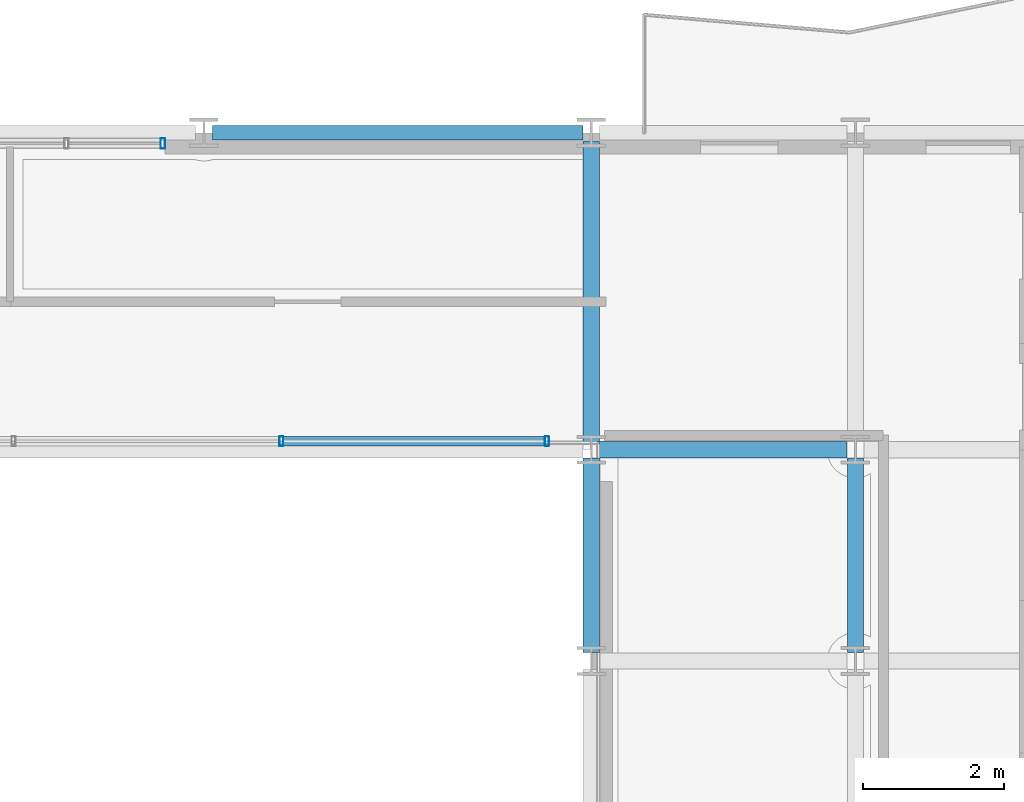
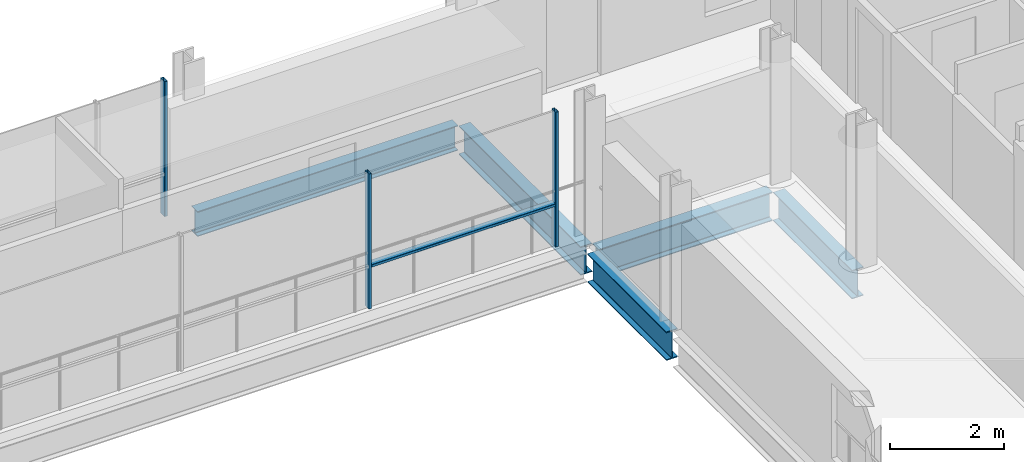
# One storey, part 19 of 40: 5 beams, 4 members, 2 elements without a shape of their own.
"""IFC4 building model written with IfcOpenShell, lengths in metres."""

import ifcopenshell
import ifcopenshell.guid

model = None  # the IFC model being written
_history = None  # IfcOwnerHistory: only IFC2X3 demands one
_inside = {}  # id of a spatial element -> (the spatial element, [elements in it])
_under = {}  # id of a project, library or spatial element -> (it, [spatial elements below it])
_declared = {}  # id of a project -> (the project, [libraries it declares])
_typed = {}  # id of a type object -> (the type object, [elements of that type])
_made_of = {}  # id of a material, layer set ... -> (it, [elements and type objects made of it])


def new_model(schema):
    """Start an empty IFC model of exactly this schema.

    Asked for "IFC4X3", IfcOpenShell would pick the latest addendum, in which some entities
    have other attributes; the version numbers below select the first issue.
    IFC2X3 requires an IfcOwnerHistory on every rooted entity: one is made here for all.
    """
    global model, _history
    if schema == "IFC4X3":
        model = ifcopenshell.file(schema_version=(4, 3, 0, 0))
    else:
        model = ifcopenshell.file(schema=schema)
    _inside.clear()
    _under.clear()
    _declared.clear()
    _typed.clear()
    _made_of.clear()
    _history = None
    if model.schema == "IFC2X3":
        org = make("IfcOrganization", Name="unknown")
        user = make(
            "IfcPersonAndOrganization",
            ThePerson=make("IfcPerson", FamilyName="unknown"),
            TheOrganization=org,
        )
        app = make(
            "IfcApplication",
            ApplicationDeveloper=org,
            Version="unknown",
            ApplicationFullName="unknown",
            ApplicationIdentifier="unknown",
        )
        _history = make(
            "IfcOwnerHistory",
            OwningUser=user,
            OwningApplication=app,
            ChangeAction="ADDED",
            CreationDate=0,
        )
    return model


def make(cls, **values):
    """One entity of the class cls with the attributes given. An attribute that is None is left unset."""
    return model.create_entity(
        cls, **{name: value for name, value in values.items() if value is not None}
    )


def rooted(cls, **values):
    """An entity with a GlobalId (a new one), such as an element, a storey or a relation."""
    return make(cls, GlobalId=ifcopenshell.guid.new(), OwnerHistory=_history, **values)


def si_unit(unit_type, name, prefix=None):
    """IfcSIUnit, for example si_unit("LENGTHUNIT", "METRE", prefix="MILLI")."""
    return make("IfcSIUnit", UnitType=unit_type, Prefix=prefix, Name=name)


def assignment(units):
    """IfcUnitAssignment: the units of a project."""
    return None if units is None else make("IfcUnitAssignment", Units=units)


def point(xyz):
    """IfcCartesianPoint."""
    return None if xyz is None else make("IfcCartesianPoint", Coordinates=xyz)


def direction(xyz):
    """IfcDirection."""
    return None if xyz is None else make("IfcDirection", DirectionRatios=xyz)


def frame(location, z_axis=None, x_axis=None):
    """IfcAxis2Placement3D, a coordinate frame: its origin and axes. An axis left out is left unset."""
    return make(
        "IfcAxis2Placement3D",
        Location=point(location),
        Axis=direction(z_axis),
        RefDirection=direction(x_axis),
    )


def frame_2d(location, x_axis=None):
    """IfcAxis2Placement2D, a coordinate frame in the plane: its origin and x axis."""
    return make(
        "IfcAxis2Placement2D", Location=point(location), RefDirection=direction(x_axis)
    )


def origin():
    """The frame at (0, 0, 0) with its axes left unset."""
    return frame((0.0, 0.0, 0.0))


def origin_2d():
    """The frame at (0, 0) in the plane with its x axis left unset."""
    return frame_2d((0.0, 0.0))


def place(relative_to, where):
    """IfcLocalPlacement: puts the frame where relative to a parent placement (None: the world)."""
    return make(
        "IfcLocalPlacement", PlacementRelTo=relative_to, RelativePlacement=where
    )


def context(
    kind, dimensions, precision=None, world=None, true_north=None, identifier=None
):
    """IfcGeometricRepresentationContext, for example the 3D "Model" context."""
    return make(
        "IfcGeometricRepresentationContext",
        ContextIdentifier=identifier,
        ContextType=kind,
        CoordinateSpaceDimension=dimensions,
        Precision=precision,
        WorldCoordinateSystem=world,
        TrueNorth=true_north,
    )


def subcontext(parent, identifier, kind, view, scale=None):
    """IfcGeometricRepresentationSubContext, for example "Body" below "Model"."""
    return make(
        "IfcGeometricRepresentationSubContext",
        ContextIdentifier=identifier,
        ContextType=kind,
        ParentContext=parent,
        TargetScale=scale,
        TargetView=view,
    )


def project(units=None, contexts=None):
    """IfcProject with its units and contexts."""
    return rooted(
        "IfcProject",
        Name="project",
        RepresentationContexts=contexts,
        UnitsInContext=assignment(units),
    )


def spatial(cls, under=None, at=None, **own):
    """A site, building, storey or space (cls), placed at a placement, below another one or the project."""
    s = rooted(cls, ObjectPlacement=at, **own)
    if under is not None:
        _under.setdefault(under.id(), (under, []))[1].append(s)
    return s


def profile(cls, at=None, kind="AREA", **sizes):
    """A parametric profile (cls). Its sizes go by their IFC names, for example OverallWidth=200.0."""
    return make(cls, ProfileType=kind, Position=at, **sizes)


def hollow_rectangle(**sizes):
    """IfcRectangleHollowProfileDef."""
    return profile("IfcRectangleHollowProfileDef", **sizes)


def i_section(**sizes):
    """IfcIShapeProfileDef."""
    return profile("IfcIShapeProfileDef", **sizes)


def extrude(swept, where, along, depth):
    """IfcExtrudedAreaSolid: the profile swept, set in the frame where, extruded along a direction by depth."""
    return make(
        "IfcExtrudedAreaSolid",
        SweptArea=swept,
        Position=where,
        ExtrudedDirection=direction(along),
        Depth=depth,
    )


def shape(context_of_items, identifier, shape_type, items):
    """IfcShapeRepresentation: the items that make up one representation, for example the "Body"."""
    return make(
        "IfcShapeRepresentation",
        ContextOfItems=context_of_items,
        RepresentationIdentifier=identifier,
        RepresentationType=shape_type,
        Items=items,
    )


def material(Name=None, Category=None):
    """IfcMaterial."""
    return make("IfcMaterial", Name=Name, Category=Category)


def layer(
    of_material, thickness, ventilated=None, Name=None, Category=None, Priority=None
):
    """IfcMaterialLayer: one layer of a wall or slab, of a material (None: an air gap)."""
    return make(
        "IfcMaterialLayer",
        Material=of_material,
        LayerThickness=thickness,
        IsVentilated=ventilated,
        Name=Name,
        Category=Category,
        Priority=Priority,
    )


def layer_set(layers, Name=None):
    """IfcMaterialLayerSet."""
    return make("IfcMaterialLayerSet", MaterialLayers=layers, LayerSetName=Name)


def material_profile(
    of_material, cross_section, Name=None, Category=None, Priority=None
):
    """IfcMaterialProfile: a cross section and its material."""
    return make(
        "IfcMaterialProfile",
        Name=Name,
        Material=of_material,
        Profile=cross_section,
        Priority=Priority,
        Category=Category,
    )


def profile_set(profiles, Name=None, composite=None):
    """IfcMaterialProfileSet."""
    return make(
        "IfcMaterialProfileSet",
        Name=Name,
        MaterialProfiles=profiles,
        CompositeProfile=composite,
    )


def made_of(thing, what):
    """Note that an element or type object is made of a material, layer set ...; save() writes the relation."""
    if what is not None:
        _made_of.setdefault(what.id(), (what, []))[1].append(thing)
    return thing


def type_object(cls, material=None, **own):
    """A type object (cls), such as IfcWallType, which elements share."""
    return made_of(rooted(cls, **own), material)


def element(
    cls,
    number,
    at=None,
    inside=None,
    cuts=None,
    type_object=None,
    material=None,
    context=None,
    identifier="Body",
    shape_type=None,
    held_by="IfcProductDefinitionShape",
    body=None,
    shapes=None,
    **own,
):
    """One element of the class cls, such as IfcWall. Its Tag is "e" and its number.

    at: its placement. inside: the storey or other place that contains it. cuts: it is an
    opening in that element (IfcRelVoidsElement). A single representation is given by context,
    identifier, shape_type and body (its items); several are given by shapes. held_by: the class
    of the entity that holds the representations. save() writes the other relations.
    """
    e = rooted(cls, Tag="e%d" % number, ObjectPlacement=at, **own)
    if body is not None:
        shapes = [shape(context, identifier, shape_type, body)]
    if shapes is not None:
        e.Representation = make(held_by, Representations=shapes)
    if inside is not None:
        _inside.setdefault(inside.id(), (inside, []))[1].append(e)
    if cuts is not None:
        rooted(
            "IfcRelVoidsElement", RelatingBuildingElement=cuts, RelatedOpeningElement=e
        )
    if type_object is not None:
        _typed.setdefault(type_object.id(), (type_object, []))[1].append(e)
    return made_of(e, material)


def aggregate(whole, parts):
    """IfcRelAggregates: a whole, such as a stair, and the parts it consists of."""
    return rooted("IfcRelAggregates", RelatingObject=whole, RelatedObjects=parts)


def save(model, path):
    """Write the relations noted so far, then the file.

    IfcRelAggregates (storeys below a building ...), IfcRelContainedInSpatialStructure (elements
    in a storey), IfcRelDefinesByType, IfcRelAssociatesMaterial and IfcRelDeclares: one each for
    every whole, place, type object, material and project.
    """
    for whole, parts in _under.values():
        aggregate(whole, parts)
    for where, things in _inside.values():
        rooted(
            "IfcRelContainedInSpatialStructure",
            RelatedElements=things,
            RelatingStructure=where,
        )
    for kind, things in _typed.values():
        rooted("IfcRelDefinesByType", RelatedObjects=things, RelatingType=kind)
    for what, things in _made_of.values():
        rooted("IfcRelAssociatesMaterial", RelatedObjects=things, RelatingMaterial=what)
    for by, libraries in _declared.values():
        rooted("IfcRelDeclares", RelatingContext=by, RelatedDefinitions=libraries)
    model.write(path)


model = new_model("IFC4")

# Units and contexts
model_context = context("Model", 3, precision=1e-05, world=origin(), true_north=direction((0.0, 1.0)))
body_context = subcontext(model_context, "Body", "Model", "MODEL_VIEW")
ifc_project = project(units=[si_unit("LENGTHUNIT", "METRE"), si_unit("AREAUNIT", "SQUARE_METRE"), si_unit("VOLUMEUNIT", "CUBIC_METRE"), si_unit("PLANEANGLEUNIT", "RADIAN"), si_unit("MASSUNIT", "GRAM", prefix="KILO")], contexts=[model_context])

# Site, building, storey
site_placement = place(None, origin())
site = spatial("IfcSite", under=ifc_project, at=site_placement, CompositionType="ELEMENT")
building_placement = place(site_placement, origin())
building = spatial("IfcBuilding", under=site, at=building_placement, Name="Brevholm Reach", CompositionType="ELEMENT")
storey_placement = place(building_placement, frame((0.0, 0.0, 160.39990234375)))
storey = spatial("IfcBuildingStorey", under=building, at=storey_placement, Name="L48", CompositionType="ELEMENT", Elevation=160.39990234375)

# Beams
ifc_material_1 = material(Name="Structural Steel S355J2", Category="steel")
ifc_material_profile_1 = material_profile(ifc_material_1, i_section(OverallWidth=0.209228515625, OverallDepth=0.533203125, WebThickness=0.010009765625, FlangeThickness=0.015625, FilletRadius=0.0126953125, at=origin_2d()), Name="UKB 533x210x92")
ifc_profile_set_1 = profile_set([ifc_material_profile_1], Name="Structural Steel S355J2")
beam_type_1 = type_object("IfcBeamType", Name="BM-SP533", PredefinedType="SPANDREL", material=ifc_profile_set_1)
beam_1_placement = place(storey_placement, frame((32.8701171875, 31.0, -0.486572265625), z_axis=(1.0, 0.0, 0.0), x_axis=(0.0, 1.0, 0.0)))
element("IfcBeam", 1, at=beam_1_placement, inside=storey, type_object=beam_type_1, Name="L48 SP-02 Framing Beam", PredefinedType="SPANDREL", context=body_context, shape_type="SweptSolid", body=[
    extrude(i_section(OverallWidth=0.209228515625, OverallDepth=0.533203125, WebThickness=0.010009765625, FlangeThickness=0.015625, FilletRadius=0.0126953125, at=origin_2d()), origin(), (0.0, 0.0, 1.0), 5.259765625),
])
ifc_material_2 = material(Name="Structural Steel S355J2", Category="steel")
ifc_material_profile_2 = material_profile(ifc_material_2, i_section(OverallWidth=0.22900390625, OverallDepth=0.6123046875, WebThickness=0.011962890625, FlangeThickness=0.01953125, FilletRadius=0.0126953125, at=origin_2d()), Name="UKB 610x229x125")
ifc_profile_set_2 = profile_set([ifc_material_profile_2], Name="Structural Steel S355J2")
beam_type_2 = type_object("IfcBeamType", Name="BM-SP610", PredefinedType="SPANDREL", material=ifc_profile_set_2)
beam_2_placement = place(storey_placement, frame((38.3701171875, 26.5, -0.526123046875), z_axis=(1.0, 0.0, 0.0), x_axis=(0.0, 1.0, 0.0)))
element("IfcBeam", 2, at=beam_2_placement, inside=storey, type_object=beam_type_2, Name="L48 SP-01 Framing Beam", PredefinedType="SPANDREL", context=body_context, shape_type="SweptSolid", body=[
    extrude(i_section(OverallWidth=0.22900390625, OverallDepth=0.6123046875, WebThickness=0.011962890625, FlangeThickness=0.01953125, FilletRadius=0.0126953125, at=origin_2d()), origin(), (0.0, 0.0, 1.0), 3.509765625),
])
beam_3_placement = place(storey_placement, frame((38.25, 23.6201171875, -0.526123046875), z_axis=(0.0, 1.0, 0.0), x_axis=(-1.0, 0.0, 0.0)))
element("IfcBeam", 3, at=beam_3_placement, inside=storey, type_object=beam_type_2, Name="L48 SP-01 Framing Beam", PredefinedType="SPANDREL", context=body_context, shape_type="SweptSolid", body=[
    extrude(i_section(OverallWidth=0.22900390625, OverallDepth=0.6123046875, WebThickness=0.011962890625, FlangeThickness=0.01953125, FilletRadius=0.0126953125, at=origin_2d()), origin(), (0.0, 0.0, 1.0), 2.759765625),
])
beam_4_placement = place(storey_placement, frame((38.25, 26.6201171875, -0.526123046875), z_axis=(0.0, 1.0, 0.0), x_axis=(-1.0, 0.0, 0.0)))
element("IfcBeam", 4, at=beam_4_placement, inside=storey, type_object=beam_type_2, Name="L48 SP-01 Framing Beam", PredefinedType="SPANDREL", context=body_context, shape_type="SweptSolid", body=[
    extrude(i_section(OverallWidth=0.22900390625, OverallDepth=0.6123046875, WebThickness=0.011962890625, FlangeThickness=0.01953125, FilletRadius=0.0126953125, at=origin_2d()), origin(), (0.0, 0.0, 1.0), 4.259765625),
])
beam_5_placement = place(storey_placement, frame((42.0, 23.6201171875, -0.526123046875), z_axis=(0.0, 1.0, 0.0), x_axis=(-1.0, 0.0, 0.0)))
element("IfcBeam", 5, at=beam_5_placement, inside=storey, type_object=beam_type_2, Name="L48 SP-01 Framing Beam", PredefinedType="SPANDREL", context=body_context, shape_type="SweptSolid", body=[
    extrude(i_section(OverallWidth=0.22900390625, OverallDepth=0.6123046875, WebThickness=0.011962890625, FlangeThickness=0.01953125, FilletRadius=0.0126953125, at=origin_2d()), origin(), (0.0, 0.0, 1.0), 2.759765625),
])

# Curtain wall, members
ifc_material_3 = material(Name="Dark Anodised Aluminium 6063-T6 and Solar-Control Glass", Category="aluminium")
ifc_layer_1 = layer(ifc_material_3, 0.139892578125)
ifc_layer_set_1 = layer_set([ifc_layer_1], Name="Dark Anodised Aluminium 6063-T6 and Solar-Control Glass")
curtain_wall_type_1 = type_object("IfcCurtainWallType", Name="CW-02", PredefinedType="NOTDEFINED", material=ifc_layer_set_1)
curtain_wall_1_placement = place(storey_placement, origin())
curtain_wall_1 = element("IfcCurtainWall", 6, at=curtain_wall_1_placement, inside=storey, type_object=curtain_wall_type_1, Name="L48 Curtain Wall CW-02", PredefinedType="NOTDEFINED")
ifc_material_4 = material(Name="Dark Anodised Aluminium 6063-T6", Category="aluminium")
ifc_material_profile_3 = material_profile(ifc_material_4, hollow_rectangle(XDim=0.06005859375, YDim=0.139892578125, WallThickness=0.0048828125, InnerFilletRadius=0.0048828125, OuterFilletRadius=0.010009765625, at=origin_2d()), Name="RHS 140x60x5")
ifc_profile_set_3 = profile_set([ifc_material_profile_3], Name="Dark Anodised Aluminium 6063-T6")
member_type_1 = type_object("IfcMemberType", Name="CWM-140", PredefinedType="MULLION", material=ifc_profile_set_3)
member_1_placement = place(storey_placement, frame((37.6201171875, 26.6201171875, 0.0), z_axis=(0.0, 0.0, 1.0), x_axis=(-1.0, 0.0, 0.0)))
member_1 = element("IfcMember", 7, at=member_1_placement, type_object=member_type_1, Name="CM-140 Mullion 1", PredefinedType="MULLION", context=body_context, shape_type="SweptSolid", body=[
    extrude(hollow_rectangle(XDim=0.06005859375, YDim=0.139892578125, WallThickness=0.0048828125, InnerFilletRadius=0.0048828125, OuterFilletRadius=0.010009765625, at=origin_2d()), origin(), (0.0, 0.0, 1.0), 2.880126953125),
])
member_2_placement = place(storey_placement, frame((33.85009765625, 26.6201171875, 0.0), z_axis=(0.0, 0.0, 1.0), x_axis=(-1.0, 0.0, 0.0)))
member_2 = element("IfcMember", 8, at=member_2_placement, type_object=member_type_1, Name="CM-140 Mullion 2", PredefinedType="MULLION", context=body_context, shape_type="SweptSolid", body=[
    extrude(hollow_rectangle(XDim=0.06005859375, YDim=0.139892578125, WallThickness=0.0048828125, InnerFilletRadius=0.0048828125, OuterFilletRadius=0.010009765625, at=origin_2d()), origin(), (0.0, 0.0, 1.0), 2.880126953125),
])

# Curtain wall, member
ifc_material_5 = material(Name="Dark Anodised Aluminium 6063-T6 and Solar-Control Glass", Category="aluminium")
ifc_layer_2 = layer(ifc_material_5, 0.14990234375)
ifc_layer_set_2 = layer_set([ifc_layer_2], Name="Dark Anodised Aluminium 6063-T6 and Solar-Control Glass")
curtain_wall_type_2 = type_object("IfcCurtainWallType", Name="CW-01", PredefinedType="NOTDEFINED", material=ifc_layer_set_2)
curtain_wall_2_placement = place(storey_placement, origin())
curtain_wall_2 = element("IfcCurtainWall", 9, at=curtain_wall_2_placement, inside=storey, type_object=curtain_wall_type_2, Name="L48 Curtain Wall CW-01", PredefinedType="NOTDEFINED")
ifc_material_6 = material(Name="Dark Anodised Aluminium 6063-T6", Category="aluminium")
ifc_material_profile_4 = material_profile(ifc_material_6, hollow_rectangle(XDim=0.06494140625, YDim=0.14990234375, WallThickness=0.0048828125, InnerFilletRadius=0.0048828125, OuterFilletRadius=0.010009765625, at=origin_2d()), Name="RHS 150x65x5")
ifc_profile_set_4 = profile_set([ifc_material_profile_4], Name="Dark Anodised Aluminium 6063-T6")
member_type_2 = type_object("IfcMemberType", Name="CWM-150", PredefinedType="MULLION", material=ifc_profile_set_4)
member_3_placement = place(storey_placement, frame((32.16748046875, 30.85009765625, 0.0), z_axis=(0.0, 0.0, 1.0), x_axis=(1.0, 0.0, 0.0)))
member_3 = element("IfcMember", 10, at=member_3_placement, type_object=member_type_2, Name="CM-150 Mullion 3", PredefinedType="MULLION", context=body_context, shape_type="SweptSolid", body=[
    extrude(hollow_rectangle(XDim=0.06494140625, YDim=0.14990234375, WallThickness=0.0048828125, InnerFilletRadius=0.0048828125, OuterFilletRadius=0.010009765625, at=origin_2d()), origin(), (0.0, 0.0, 1.0), 2.880126953125),
])
aggregate(curtain_wall_2, [member_3])

# Member
ifc_material_7 = material(Name="Dark Anodised Aluminium 6063-T6", Category="aluminium")
ifc_material_profile_5 = material_profile(ifc_material_7, hollow_rectangle(XDim=0.06005859375, YDim=0.139892578125, WallThickness=0.0048828125, InnerFilletRadius=0.0048828125, OuterFilletRadius=0.010009765625, at=origin_2d()), Name="RHS 140x60x5")
ifc_profile_set_5 = profile_set([ifc_material_profile_5], Name="Dark Anodised Aluminium 6063-T6")
member_type_3 = type_object("IfcMemberType", Name="CWT-140", PredefinedType="NOTDEFINED", material=ifc_profile_set_5)
member_4_placement = place(storey_placement, frame((37.590087890625, 26.6201171875, 0.900146484375), z_axis=(-1.0, 0.0, 0.0), x_axis=(0.0, 0.0, 1.0)))
member_4 = element("IfcMember", 11, at=member_4_placement, type_object=member_type_3, Name="CT-140 Transom 1.1", ObjectType="TRANSOM", PredefinedType="USERDEFINED", context=body_context, shape_type="SweptSolid", body=[
    extrude(hollow_rectangle(XDim=0.06005859375, YDim=0.139892578125, WallThickness=0.0048828125, InnerFilletRadius=0.0048828125, OuterFilletRadius=0.010009765625, at=origin_2d()), origin(), (0.0, 0.0, 1.0), 3.710205078125),
])

aggregate(curtain_wall_1, [member_1, member_2, member_4])

save(model, "model.ifc")
